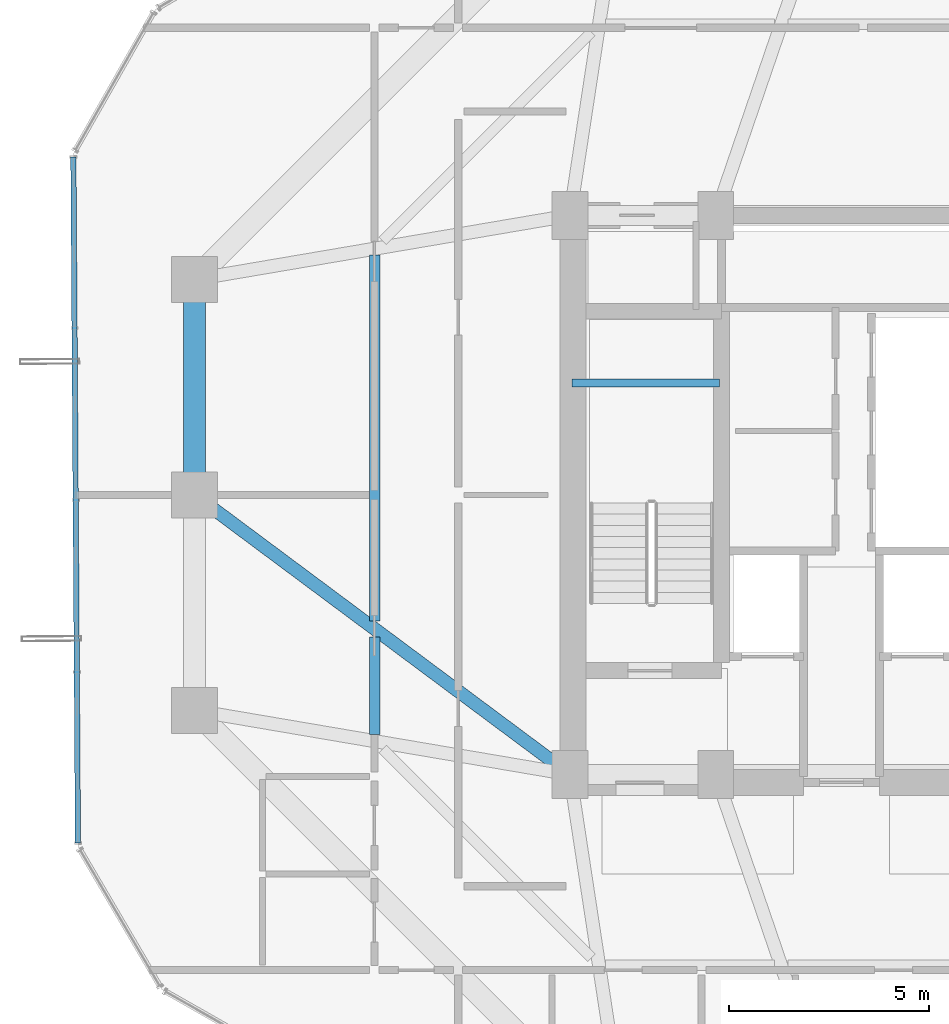
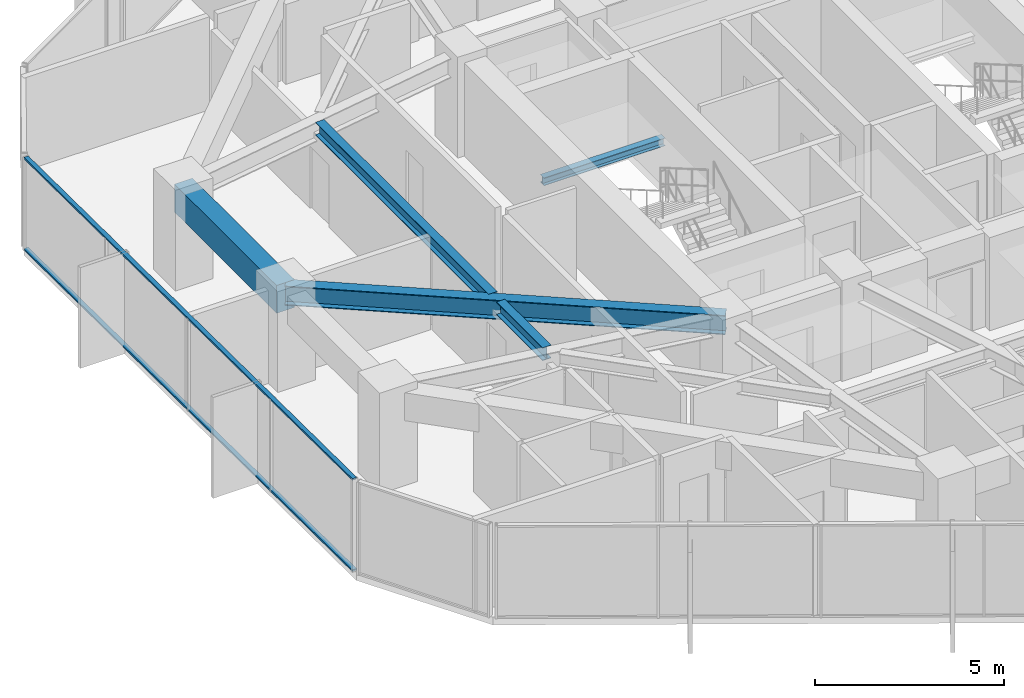
# One storey, part 10 of 30: 5 beams, 2 members, 1 element without a shape of its own.
"""IFC4 building model written with IfcOpenShell, lengths in metres."""

from ifc_helpers import new_model, si_unit, direction, frame, origin, origin_2d, place, context, subcontext, project, spatial, rectangle, hollow_rectangle, i_section, extrude, source, transform, mapped, material, layer, layer_set, material_profile, profile_set, type_object, element, aggregate, save


model = new_model("IFC4")

# Units and contexts
model_context = context("Model", 3, precision=1e-05, world=origin(), true_north=direction((0.0, 1.0)))
body_context = subcontext(model_context, "Body", "Model", "MODEL_VIEW")
ifc_project = project(units=[si_unit("LENGTHUNIT", "METRE"), si_unit("AREAUNIT", "SQUARE_METRE"), si_unit("VOLUMEUNIT", "CUBIC_METRE"), si_unit("PLANEANGLEUNIT", "RADIAN"), si_unit("MASSUNIT", "GRAM", prefix="KILO")], contexts=[model_context])

# Site, building, storey
site_placement = place(None, origin())
site = spatial("IfcSite", under=ifc_project, at=site_placement, CompositionType="ELEMENT")
building_placement = place(site_placement, origin())
building = spatial("IfcBuilding", under=site, at=building_placement, Name="Veraguas Prism Commons", CompositionType="ELEMENT")
storey_placement = place(building_placement, frame((0.0, 0.0, 129.5)))
storey = spatial("IfcBuildingStorey", under=building, at=storey_placement, Name="L36", CompositionType="ELEMENT", Elevation=129.5)

# Beams
ifc_material_1 = material(Name="Steel ASTM A992 Grade 50", Category="steel")
ifc_material_profile_1 = material_profile(ifc_material_1, i_section(OverallWidth=0.260986328125, OverallDepth=0.419921875, WebThickness=0.01171875, FlangeThickness=0.019287109375, at=origin_2d()), Name="W410X114")
ifc_profile_set_1 = profile_set([ifc_material_profile_1], Name="Steel ASTM A992 Grade 50")
beam_type_1 = type_object("IfcBeamType", Name="Lower Floor Joist W410x114", PredefinedType="JOIST", material=ifc_profile_set_1)
beam_1_placement = place(storey_placement, frame((12.31201171875, 30.003662109375, 2.7900390625), z_axis=(0.0, -1.0, 0.0), x_axis=(1.0, 0.0, 0.0)))
element("IfcBeam", 1, at=beam_1_placement, inside=storey, type_object=beam_type_1, Name="Composite Floor Joist L36-JS07", PredefinedType="JOIST", context=body_context, shape_type="SweptSolid", body=[
    extrude(i_section(OverallWidth=0.260986328125, OverallDepth=0.419921875, WebThickness=0.01171875, FlangeThickness=0.019287109375, at=origin_2d()), origin(), (0.0, 0.0, 1.0), 9.16162109375),
])
beam_2_placement = place(storey_placement, frame((12.31201171875, 20.43798828125, 2.7900390625), z_axis=(0.0, -1.0, 0.0), x_axis=(1.0, 0.0, 0.0)))
element("IfcBeam", 2, at=beam_2_placement, inside=storey, type_object=beam_type_1, Name="Composite Floor Joist L36-JS08", PredefinedType="JOIST", context=body_context, shape_type="SweptSolid", body=[
    extrude(i_section(OverallWidth=0.260986328125, OverallDepth=0.419921875, WebThickness=0.01171875, FlangeThickness=0.019287109375, at=origin_2d()), origin(), (0.0, 0.0, 1.0), 2.441650390625),
])
ifc_material_2 = material(Name="Concrete C50/60", Category="concrete")
ifc_material_profile_2 = material_profile(ifc_material_2, rectangle(XDim=0.550048828125, YDim=0.89990234375, at=origin_2d()), Name="RC550X900")
ifc_profile_set_2 = profile_set([ifc_material_profile_2], Name="Concrete C50/60")
beam_type_2 = type_object("IfcBeamType", Name="Perimeter Spandrel Lower RC 550x900", PredefinedType="SPANDREL", material=ifc_profile_set_2)
beam_3_placement = place(storey_placement, frame((7.800048828125, 29.39990234375, 2.550048828125), z_axis=(0.0, -1.0, 0.0), x_axis=(1.0, 0.0, 0.0)))
element("IfcBeam", 3, at=beam_3_placement, inside=storey, type_object=beam_type_2, Name="Perimeter Spandrel Beam L36-SP07", PredefinedType="SPANDREL", context=body_context, shape_type="SweptSolid", body=[
    extrude(rectangle(XDim=0.550048828125, YDim=0.89990234375, at=origin_2d()), origin(), (0.0, 0.0, 1.0), 5.39990234375),
])
ifc_material_profile_3 = material_profile(ifc_material_1, i_section(OverallWidth=0.202880859375, OverallDepth=0.251953125, WebThickness=0.008056640625, FlangeThickness=0.013427734375, at=origin_2d()), Name="W250X58")
ifc_profile_set_3 = profile_set([ifc_material_profile_3], Name="Steel ASTM A992 Grade 50")
beam_type_3 = type_object("IfcBeamType", Name="Structural Opening Lintel W250x58", PredefinedType="LINTEL", material=ifc_profile_set_3)
beam_4_placement = place(storey_placement, frame((17.25, 26.800048828125, 1.299072265625), z_axis=(1.0, 0.0, 0.0), x_axis=(0.0, 1.0, 0.0)))
element("IfcBeam", 4, at=beam_4_placement, inside=storey, type_object=beam_type_3, Name="Stair ST-01 Half-Landing Support Beam L36-1", PredefinedType="LINTEL", context=body_context, shape_type="SweptSolid", body=[
    extrude(i_section(OverallWidth=0.202880859375, OverallDepth=0.251953125, WebThickness=0.008056640625, FlangeThickness=0.013427734375, at=origin_2d()), origin(), (0.0, 0.0, 1.0), 3.699951171875),
])
ifc_material_profile_4 = material_profile(ifc_material_1, i_section(OverallWidth=0.327880859375, OverallDepth=0.6220703125, WebThickness=0.015380859375, FlangeThickness=0.0244140625, at=origin_2d()), Name="W610X195")
ifc_profile_set_4 = profile_set([ifc_material_profile_4], Name="Steel ASTM A992 Grade 50")
beam_type_4 = type_object("IfcBeamType", Name="Zone 2 Radial Girder W610x195", PredefinedType="BEAM", material=ifc_profile_set_4)
beam_5_placement = place(storey_placement, frame((7.800048828125, 24.0, 2.68896484375), z_axis=(0.802040137921, -0.597270137512, 0.0), x_axis=(0.597270137512, 0.802040137921, 0.0)))
element("IfcBeam", 5, at=beam_5_placement, inside=storey, type_object=beam_type_4, Name="Radial Floor Girder L36-RD08", PredefinedType="BEAM", context=body_context, shape_type="SweptSolid", body=[
    extrude(i_section(OverallWidth=0.327880859375, OverallDepth=0.6220703125, WebThickness=0.015380859375, FlangeThickness=0.0244140625, at=origin_2d()), origin(), (0.0, 0.0, 1.0), 11.719970703125),
])

# Curtain wall, members
ifc_material_3 = material(Name="Anodised aluminium EN AW-6063 T6", Category="aluminium")
ifc_layer = layer(ifc_material_3, 0.169921875, Name="Unitised Flush Curtain Wall Zone 2", Category="aluminium")
ifc_layer_set = layer_set([ifc_layer], Name="Anodised aluminium EN AW-6063 T6")
curtain_wall_type = type_object("IfcCurtainWallType", Name="Unitised Flush Curtain Wall Zone 2", PredefinedType="NOTDEFINED", material=ifc_layer_set)
curtain_wall_placement = place(storey_placement, origin())
curtain_wall = element("IfcCurtainWall", 6, at=curtain_wall_placement, inside=storey, type_object=curtain_wall_type, Name="Tower Facade Curtain Wall L36-F3", PredefinedType="NOTDEFINED")
ifc_material_profile_5 = material_profile(ifc_material_3, hollow_rectangle(XDim=0.054931640625, YDim=0.135009765625, WallThickness=0.0029296875, at=origin_2d()), Name="AL55X135X3")
ifc_profile_set_5 = profile_set([ifc_material_profile_5], Name="Anodised aluminium EN AW-6063 T6")
member_type = type_object("IfcMemberType", Name="Curtain Wall Transom Standard AL 55x135x3", PredefinedType="USERDEFINED", material=ifc_profile_set_5)
shared_shape = source(origin(), body_context, "Body", "SweptSolid", [
    extrude(hollow_rectangle(XDim=0.054931640625, YDim=0.135009765625, WallThickness=0.0029296875, at=origin_2d()), origin(), (0.0, 0.0, 1.0), 17.17431640625),
])
member_1_placement = place(storey_placement, frame((4.760986328125, 32.459716796875, 0.027587890625), z_axis=(0.0066386573, -0.999977963872, 0.0), x_axis=(0.0, 0.0, 1.0)))
member_1 = element("IfcMember", 7, at=member_1_placement, type_object=member_type, Name="CW-Z2 Transom 1", ObjectType="TRANSOM", PredefinedType="USERDEFINED", context=body_context, shape_type="MappedRepresentation", body=[
    mapped(shared_shape, transform((0.0, 0.0, 0.0), scale=1.0)),
])
member_2_placement = place(storey_placement, frame((4.760986328125, 32.459716796875, 2.972412109375), z_axis=(0.0066386573, -0.999977963872, 0.0), x_axis=(0.0, 0.0, 1.0)))
member_2 = element("IfcMember", 8, at=member_2_placement, type_object=member_type, Name="CW-Z2 Transom 2", ObjectType="TRANSOM", PredefinedType="USERDEFINED", context=body_context, shape_type="MappedRepresentation", body=[
    mapped(shared_shape, transform((0.0, 0.0, 0.0), scale=1.0)),
])
aggregate(curtain_wall, [member_1, member_2])

save(model, "model.ifc")
